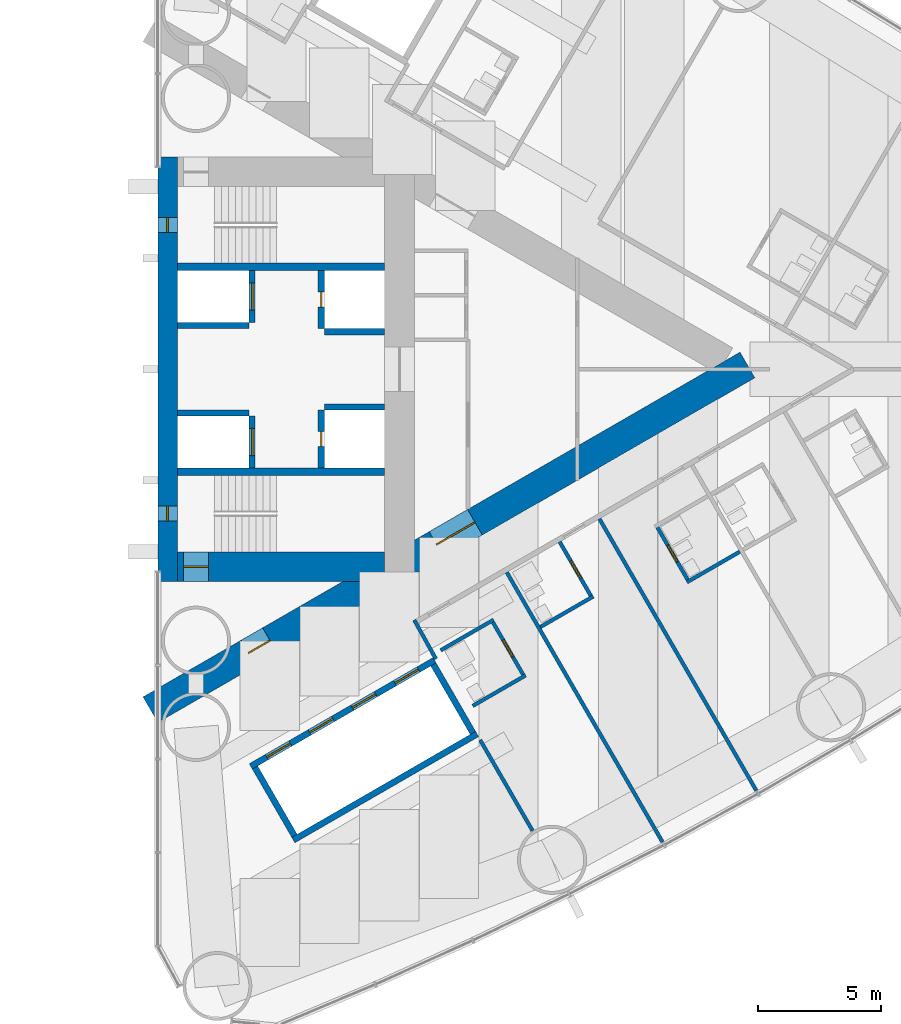
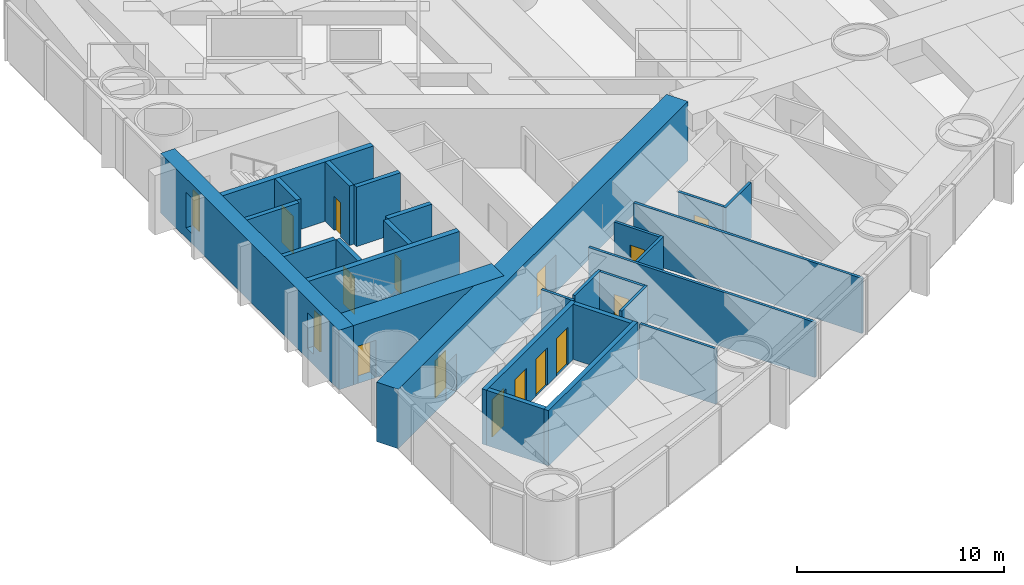
# One storey, part 13 of 18: 28 walls, 14 doors, 2 windows, 16 openings.
"""IFC4 building model written with IfcOpenShell, lengths in metres."""

from ifc_helpers import new_model, si_unit, direction, frame, frame_2d, origin, place, context, subcontext, project, spatial, rectangle, extrude, material, layer, layer_set, type_object, element, fill, save


model = new_model("IFC4")

# Units and contexts
model_context = context("Model", 3, precision=1e-05, world=origin(), true_north=direction((0.0, 1.0)))
body_context = subcontext(model_context, "Body", "Model", "MODEL_VIEW")
ifc_project = project(units=[si_unit("LENGTHUNIT", "METRE"), si_unit("AREAUNIT", "SQUARE_METRE"), si_unit("VOLUMEUNIT", "CUBIC_METRE"), si_unit("PLANEANGLEUNIT", "RADIAN"), si_unit("MASSUNIT", "GRAM", prefix="KILO")], contexts=[model_context])

# Site, building, storey
site_placement = place(None, origin())
site = spatial("IfcSite", under=ifc_project, at=site_placement, CompositionType="ELEMENT")
building_placement = place(site_placement, origin())
building = spatial("IfcBuilding", under=site, at=building_placement, Name="Lancet Gate Hotel", CompositionType="ELEMENT")
storey_placement = place(building_placement, frame((0.0, 0.0, 49.5)))
storey = spatial("IfcBuildingStorey", under=building, at=storey_placement, Name="L12", CompositionType="ELEMENT", Elevation=49.5)

# Wall
ifc_material_1 = material(Name="Moisture resistant board partition")
ifc_layer_1 = layer(ifc_material_1, 0.14990234375)
ifc_layer_set_1 = layer_set([ifc_layer_1], Name="Bathroom wall 150")
wall_type_1 = type_object("IfcWallType", Name="Bathroom wall 150", PredefinedType="PARTITIONING", material=ifc_layer_set_1)
wall_1_placement = place(storey_placement, frame((43.01220703125, -10.4443359375, 0.0), z_axis=(0.0, 0.0, 1.0), x_axis=(0.866031185235, 0.4999899861, 0.0)))
element("IfcWall", 1, at=wall_1_placement, inside=storey, type_object=wall_type_1, Name="T2 bathroom wall 150 L12", PredefinedType="PARTITIONING", context=body_context, shape_type="SweptSolid", body=[
    extrude(rectangle(XDim=2.47509765625, YDim=0.14990234375, at=frame_2d((1.237548828125, 0.0))), origin(), (0.0, 0.0, 1.0), 3.25),
])

# Wall, opening, door
wall_2_placement = place(storey_placement, frame((43.790771484375, -6.99267578125, 0.0), z_axis=(0.0, 0.0, 1.0), x_axis=(0.500047596559, -0.865997922154, 0.0)))
wall_2 = element("IfcWall", 2, at=wall_2_placement, inside=storey, type_object=wall_type_1, Name="T2 bathroom wall 150 L12", PredefinedType="PARTITIONING", context=body_context, shape_type="SweptSolid", body=[
    extrude(rectangle(XDim=2.599853515625, YDim=0.14990234375, at=frame_2d((1.2998046875, 0.0))), origin(), (0.0, 0.0, 1.0), 3.25),
])
opening_1_placement = place(wall_2_placement, frame((0.89990234375, 0.0, 0.0)))
opening_1 = element("IfcOpeningElement", 3, at=opening_1_placement, cuts=wall_2, Name="Opening 1254-B", PredefinedType="OPENING", context=body_context, shape_type="SweptSolid", body=[
    extrude(rectangle(XDim=0.800048828125, YDim=2.199951171875, at=frame_2d((0.39990234375, 1.10009765625))), frame((0.0, 0.0849609375, 0.0), z_axis=(0.0, -1.0, 0.0), x_axis=(1.0, 0.0, 0.0)), (0.0, 0.0, 1.0), 0.169921875),
])
ifc_material_2 = material(Name="Timber door set", Category="wood")
door_type_1 = type_object("IfcDoorType", Name="Bathroom door 800", OperationType="SINGLE_SWING_RIGHT", PredefinedType="DOOR", material=ifc_material_2)
door_1_placement = place(opening_1_placement, origin())
door_1 = element("IfcDoor", 4, at=door_1_placement, inside=storey, type_object=door_type_1, Name="1254-B", OperationType="SINGLE_SWING_RIGHT", OverallHeight=2.199951171875, OverallWidth=0.800048828125, PredefinedType="DOOR", context=body_context, shape_type="SweptSolid", body=[
    extrude(rectangle(XDim=0.800048828125, YDim=2.199951171875, at=frame_2d((0.39990234375, 1.10009765625))), frame((0.0, 0.02490234375, 0.0), z_axis=(0.0, -1.0, 0.0), x_axis=(1.0, 0.0, 0.0)), (0.0, 0.0, 1.0), 0.050048828125),
])
fill(opening_1, door_1)

# Wall
wall_3_placement = place(storey_placement, frame((48.951171875, -8.632080078125, 0.0), z_axis=(0.0, 0.0, 1.0), x_axis=(0.866006523861, 0.500032699561, 0.0)))
element("IfcWall", 5, at=wall_3_placement, inside=storey, type_object=wall_type_1, Name="T2 bathroom wall 150 L12", PredefinedType="PARTITIONING", context=body_context, shape_type="SweptSolid", body=[
    extrude(rectangle(XDim=2.474853515625, YDim=0.14990234375, at=frame_2d((1.2373046875, 0.0))), origin(), (0.0, 0.0, 1.0), 3.25),
])

# Wall, opening, door
wall_4_placement = place(storey_placement, frame((47.716064453125, -6.3427734375, 0.0), z_axis=(0.0, 0.0, 1.0), x_axis=(0.500006934395, -0.866021400173, 0.0)))
wall_4 = element("IfcWall", 6, at=wall_4_placement, inside=storey, type_object=wall_type_1, Name="T2 bathroom wall 150 L12", PredefinedType="PARTITIONING", context=body_context, shape_type="SweptSolid", body=[
    extrude(rectangle(XDim=2.60009765625, YDim=0.14990234375, at=frame_2d((1.300048828125, 0.0))), origin(), (0.0, 0.0, 1.0), 3.25),
])
opening_2_placement = place(wall_4_placement, frame((0.89990234375, 0.0, 0.0)))
opening_2 = element("IfcOpeningElement", 7, at=opening_2_placement, cuts=wall_4, Name="Opening 1255-B", PredefinedType="OPENING", context=body_context, shape_type="SweptSolid", body=[
    extrude(rectangle(XDim=0.800048828125, YDim=2.199951171875, at=frame_2d((0.39990234375, 1.10009765625))), frame((0.0, 0.0849609375, 0.0), z_axis=(0.0, -1.0, 0.0), x_axis=(1.0, 0.0, 0.0)), (0.0, 0.0, 1.0), 0.169921875),
])
door_2_placement = place(opening_2_placement, origin())
door_2 = element("IfcDoor", 8, at=door_2_placement, inside=storey, type_object=door_type_1, Name="1255-B", OperationType="SINGLE_SWING_RIGHT", OverallHeight=2.199951171875, OverallWidth=0.800048828125, PredefinedType="DOOR", context=body_context, shape_type="SweptSolid", body=[
    extrude(rectangle(XDim=0.800048828125, YDim=2.199951171875, at=frame_2d((0.39990234375, 1.10009765625))), frame((0.0, 0.02490234375, 0.0), z_axis=(0.0, -1.0, 0.0), x_axis=(1.0, 0.0, 0.0)), (0.0, 0.0, 1.0), 0.050048828125),
])
fill(opening_2, door_2)

# Wall
wall_5_placement = place(storey_placement, frame((40.269775390625, -13.644287109375, 0.0), z_axis=(0.0, 0.0, 1.0), x_axis=(0.866031185235, 0.4999899861, 0.0)))
element("IfcWall", 9, at=wall_5_placement, inside=storey, type_object=wall_type_1, Name="T2 bathroom wall 150 L12", PredefinedType="PARTITIONING", context=body_context, shape_type="SweptSolid", body=[
    extrude(rectangle(XDim=2.47509765625, YDim=0.14990234375, at=frame_2d((1.237548828125, 0.0))), origin(), (0.0, 0.0, 1.0), 3.25),
])

# Wall, opening, door
wall_6_placement = place(storey_placement, frame((41.04833984375, -10.192626953125, 0.0), z_axis=(0.0, 0.0, 1.0), x_axis=(0.500047596559, -0.865997922154, 0.0)))
wall_6 = element("IfcWall", 10, at=wall_6_placement, inside=storey, type_object=wall_type_1, Name="T2 bathroom wall 150 L12", PredefinedType="PARTITIONING", context=body_context, shape_type="SweptSolid", body=[
    extrude(rectangle(XDim=2.599853515625, YDim=0.14990234375, at=frame_2d((1.2998046875, 0.0))), origin(), (0.0, 0.0, 1.0), 3.25),
])
opening_3_placement = place(wall_6_placement, frame((0.89990234375, 0.0, 0.0)))
opening_3 = element("IfcOpeningElement", 11, at=opening_3_placement, cuts=wall_6, Name="Opening 1253-B", PredefinedType="OPENING", context=body_context, shape_type="SweptSolid", body=[
    extrude(rectangle(XDim=0.800048828125, YDim=2.199951171875, at=frame_2d((0.39990234375, 1.10009765625))), frame((0.0, 0.0849609375, 0.0), z_axis=(0.0, -1.0, 0.0), x_axis=(1.0, 0.0, 0.0)), (0.0, 0.0, 1.0), 0.169921875),
])
door_3_placement = place(opening_3_placement, origin())
door_3 = element("IfcDoor", 12, at=door_3_placement, inside=storey, type_object=door_type_1, Name="1253-B", OperationType="SINGLE_SWING_RIGHT", OverallHeight=2.199951171875, OverallWidth=0.800048828125, PredefinedType="DOOR", context=body_context, shape_type="SweptSolid", body=[
    extrude(rectangle(XDim=0.800048828125, YDim=2.199951171875, at=frame_2d((0.39990234375, 1.10009765625))), frame((0.0, 0.02490234375, 0.0), z_axis=(0.0, -1.0, 0.0), x_axis=(1.0, 0.0, 0.0)), (0.0, 0.0, 1.0), 0.050048828125),
])
fill(opening_3, door_3)

# Wall
wall_7_placement = place(storey_placement, frame((38.9697265625, -11.392578125, 0.0), z_axis=(0.0, 0.0, 1.0), x_axis=(0.866031185235, 0.4999899861, 0.0)))
element("IfcWall", 13, at=wall_7_placement, inside=storey, type_object=wall_type_1, Name="T2 bathroom wall 150 L12", PredefinedType="PARTITIONING", context=body_context, shape_type="SweptSolid", body=[
    extrude(rectangle(XDim=2.47509765625, YDim=0.14990234375, at=frame_2d((1.237548828125, 0.0))), origin(), (0.0, 0.0, 1.0), 3.25),
])

# Wall, openings, doors
ifc_material_3 = material(Name="Concrete C70/85", Category="concrete")
ifc_layer_2 = layer(ifc_material_3, 1.199951171875)
ifc_layer_set_2 = layer_set([ifc_layer_2], Name="Buttress wall 1200")
wall_type_2 = type_object("IfcWallType", Name="Buttress wall 1200", PredefinedType="SHEAR", material=ifc_layer_set_2)
wall_8_placement = place(storey_placement, frame((27.199951171875, -13.800048828125, 0.0), z_axis=(0.0, 0.0, 1.0), x_axis=(0.866027159892, 0.499996958321, 0.0)))
wall_8 = element("IfcWall", 14, at=wall_8_placement, inside=storey, type_object=wall_type_2, Name="T2 buttress wall S L12", PredefinedType="SHEAR", context=body_context, shape_type="SweptSolid", body=[
    extrude(rectangle(XDim=27.946533203125, YDim=1.199951171875, at=frame_2d((13.97314453125, 0.0))), origin(), (0.0, 0.0, 1.0), 3.5),
])
opening_4_placement = place(wall_8_placement, frame((4.60009765625, 0.0, 0.0)))
opening_4 = element("IfcOpeningElement", 15, at=opening_4_placement, cuts=wall_8, Name="Opening T2-L12-LS", PredefinedType="OPENING", context=body_context, shape_type="SweptSolid", body=[
    extrude(rectangle(XDim=1.0, YDim=2.199951171875, at=frame_2d((0.5, 1.10009765625))), frame((0.0, 0.60986328125, 0.0), z_axis=(0.0, -1.0, 0.0), x_axis=(1.0, 0.0, 0.0)), (0.0, 0.0, 1.0), 1.219970703125),
])
opening_5_placement = place(wall_8_placement, frame((13.39453125, 0.0, 0.0)))
opening_5 = element("IfcOpeningElement", 16, at=opening_5_placement, cuts=wall_8, Name="Opening T2-L12-LHS", PredefinedType="OPENING", context=body_context, shape_type="SweptSolid", body=[
    extrude(rectangle(XDim=1.800048828125, YDim=2.199951171875, at=frame_2d((0.89990234375, 1.10009765625))), frame((0.0, 0.60986328125, 0.0), z_axis=(0.0, -1.0, 0.0), x_axis=(1.0, 0.0, 0.0)), (0.0, 0.0, 1.0), 1.219970703125),
])
ifc_material_4 = material(Name="Timber door set", Category="wood")
door_type_2 = type_object("IfcDoorType", Name="Lobby double door 1800", OperationType="DOUBLE_DOOR_SINGLE_SWING", PredefinedType="DOOR", material=ifc_material_4)
door_4_placement = place(opening_5_placement, origin())
door_4 = element("IfcDoor", 17, at=door_4_placement, inside=storey, type_object=door_type_2, Name="T2-L12-LHS", OperationType="DOUBLE_DOOR_SINGLE_SWING", OverallHeight=2.199951171875, OverallWidth=1.800048828125, PredefinedType="DOOR", context=body_context, shape_type="SweptSolid", body=[
    extrude(rectangle(XDim=1.800048828125, YDim=2.199951171875, at=frame_2d((0.89990234375, 1.10009765625))), frame((0.0, 0.02490234375, 0.0), z_axis=(0.0, -1.0, 0.0), x_axis=(1.0, 0.0, 0.0)), (0.0, 0.0, 1.0), 0.050048828125),
])
fill(opening_5, door_4)
ifc_material_5 = material(Name="Timber door set", Category="wood")
door_type_3 = type_object("IfcDoorType", Name="Stair lobby door 1000", OperationType="SINGLE_SWING_LEFT", PredefinedType="DOOR", material=ifc_material_5)
door_5_placement = place(opening_4_placement, origin())
door_5 = element("IfcDoor", 18, at=door_5_placement, inside=storey, type_object=door_type_3, Name="T2-L12-LS", OperationType="SINGLE_SWING_LEFT", OverallHeight=2.199951171875, OverallWidth=1.0, PredefinedType="DOOR", context=body_context, shape_type="SweptSolid", body=[
    extrude(rectangle(XDim=1.0, YDim=2.199951171875, at=frame_2d((0.5, 1.10009765625))), frame((0.0, 0.02490234375, 0.0), z_axis=(0.0, -1.0, 0.0), x_axis=(1.0, 0.0, 0.0)), (0.0, 0.0, 1.0), 0.050048828125),
])
fill(opening_4, door_5)

# Wall, opening, door
ifc_material_6 = material(Name="Concrete C70/85", Category="concrete")
ifc_layer_3 = layer(ifc_material_6, 1.199951171875)
ifc_layer_set_3 = layer_set([ifc_layer_3], Name="Core wall 1200")
wall_type_3 = type_object("IfcWallType", Name="Core wall 1200", PredefinedType="SHEAR", material=ifc_layer_set_3)
wall_9_placement = place(storey_placement, frame((28.300048828125, -8.0, 0.0), z_axis=(0.0, 0.0, 1.0), x_axis=(1.0, 0.0, 0.0)))
wall_9 = element("IfcWall", 19, at=wall_9_placement, inside=storey, type_object=wall_type_3, Name="T2 core wall side-S L12", PredefinedType="SHEAR", context=body_context, shape_type="SweptSolid", body=[
    extrude(rectangle(XDim=8.39990234375, YDim=1.199951171875, at=frame_2d((4.199951171875, 0.0))), origin(), (0.0, 0.0, 1.0), 3.5),
])
opening_6_placement = place(wall_9_placement, frame((0.25, 0.0, 0.0)))
opening_6 = element("IfcOpeningElement", 20, at=opening_6_placement, cuts=wall_9, Name="Opening T2-L12-ST1", PredefinedType="OPENING", context=body_context, shape_type="SweptSolid", body=[
    extrude(rectangle(XDim=1.0, YDim=2.199951171875, at=frame_2d((0.5, 1.10009765625))), frame((0.0, 0.60986328125, 0.0), z_axis=(0.0, -1.0, 0.0), x_axis=(1.0, 0.0, 0.0)), (0.0, 0.0, 1.0), 1.219970703125),
])
ifc_material_7 = material(Name="Timber door set", Category="wood")
door_type_4 = type_object("IfcDoorType", Name="Stair door 1000", OperationType="SINGLE_SWING_RIGHT", PredefinedType="DOOR", material=ifc_material_7)
door_6_placement = place(opening_6_placement, origin())
door_6 = element("IfcDoor", 21, at=door_6_placement, inside=storey, type_object=door_type_4, Name="T2-L12-ST1", OperationType="SINGLE_SWING_RIGHT", OverallHeight=2.199951171875, OverallWidth=1.0, PredefinedType="DOOR", context=body_context, shape_type="SweptSolid", body=[
    extrude(rectangle(XDim=1.0, YDim=2.199951171875, at=frame_2d((0.5, 1.10009765625))), frame((0.0, 0.02490234375, 0.0), z_axis=(0.0, -1.0, 0.0), x_axis=(1.0, 0.0, 0.0)), (0.0, 0.0, 1.0), 0.050048828125),
])
fill(opening_6, door_6)

# Wall, openings, windows
ifc_material_8 = material(Name="Concrete C70/85", Category="concrete")
ifc_layer_4 = layer(ifc_material_8, 0.800048828125)
ifc_layer_set_4 = layer_set([ifc_layer_4], Name="Core wall 800")
wall_type_4 = type_object("IfcWallType", Name="Core wall 800", PredefinedType="SHEAR", material=ifc_layer_set_4)
wall_10_placement = place(storey_placement, frame((27.89990234375, -8.60009765625, 0.0), z_axis=(0.0, 0.0, 1.0), x_axis=(0.0, 1.0, 0.0)))
wall_10 = element("IfcWall", 22, at=wall_10_placement, inside=storey, type_object=wall_type_4, Name="T2 core wall front L12", PredefinedType="SHEAR", context=body_context, shape_type="SweptSolid", body=[
    extrude(rectangle(XDim=17.2001953125, YDim=0.800048828125, at=frame_2d((8.60009765625, 0.0))), origin(), (0.0, 0.0, 1.0), 3.5),
])
opening_7_placement = place(wall_10_placement, frame((2.449951171875, 0.0, 0.60009765625)))
opening_7 = element("IfcOpeningElement", 23, at=opening_7_placement, cuts=wall_10, Name="Opening LW1", PredefinedType="OPENING", context=body_context, shape_type="SweptSolid", body=[
    extrude(rectangle(XDim=0.60009765625, YDim=2.10009765625, at=frame_2d((0.300048828125, 1.050048828125))), frame((0.0, 0.409912109375, 0.0), z_axis=(0.0, -1.0, 0.0), x_axis=(1.0, 0.0, 0.0)), (0.0, 0.0, 1.0), 0.820068359375),
])
opening_8_placement = place(wall_10_placement, frame((14.14990234375, 0.0, 0.60009765625)))
opening_8 = element("IfcOpeningElement", 24, at=opening_8_placement, cuts=wall_10, Name="Opening LW1", PredefinedType="OPENING", context=body_context, shape_type="SweptSolid", body=[
    extrude(rectangle(XDim=0.60009765625, YDim=2.10009765625, at=frame_2d((0.300048828125, 1.050048828125))), frame((0.0, 0.409912109375, 0.0), z_axis=(0.0, -1.0, 0.0), x_axis=(1.0, 0.0, 0.0)), (0.0, 0.0, 1.0), 0.820068359375),
])
ifc_material_9 = material(Name="Fire-resisting glazed steel window", Category="steel")
window_type = type_object("IfcWindowType", Name="Lancet window 600x2100", PartitioningType="SINGLE_PANEL", PredefinedType="WINDOW", material=ifc_material_9)
window_1_placement = place(opening_7_placement, origin())
window_1 = element("IfcWindow", 25, at=window_1_placement, inside=storey, type_object=window_type, Name="T2 stair window S L12", OverallHeight=2.10009765625, OverallWidth=0.60009765625, PartitioningType="SINGLE_PANEL", PredefinedType="WINDOW", context=body_context, shape_type="SweptSolid", body=[
    extrude(rectangle(XDim=0.60009765625, YDim=2.10009765625, at=frame_2d((0.300048828125, 1.050048828125))), frame((0.0, 0.030029296875, 0.0), z_axis=(0.0, -1.0, 0.0), x_axis=(1.0, 0.0, 0.0)), (0.0, 0.0, 1.0), 0.06005859375),
])
fill(opening_7, window_1)
window_2_placement = place(opening_8_placement, origin())
window_2 = element("IfcWindow", 26, at=window_2_placement, inside=storey, type_object=window_type, Name="T2 stair window N L12", OverallHeight=2.10009765625, OverallWidth=0.60009765625, PartitioningType="SINGLE_PANEL", PredefinedType="WINDOW", context=body_context, shape_type="SweptSolid", body=[
    extrude(rectangle(XDim=0.60009765625, YDim=2.10009765625, at=frame_2d((0.300048828125, 1.050048828125))), frame((0.0, 0.030029296875, 0.0), z_axis=(0.0, -1.0, 0.0), x_axis=(1.0, 0.0, 0.0)), (0.0, 0.0, 1.0), 0.06005859375),
])
fill(opening_8, window_2)

# Wall, openings, doors
ifc_material_10 = material(Name="Gypsum board partition")
ifc_layer_5 = layer(ifc_material_10, 0.25)
ifc_layer_set_5 = layer_set([ifc_layer_5], Name="Lift shaft partition 250")
wall_type_5 = type_object("IfcWallType", Name="Lift shaft partition 250", PredefinedType="PARTITIONING", material=ifc_layer_set_5)
wall_11_placement = place(storey_placement, frame((31.2705078125, -16.09716796875, 0.0), z_axis=(0.0, 0.0, 1.0), x_axis=(0.86604045752, 0.499973925258, 0.0)))
wall_11 = element("IfcWall", 27, at=wall_11_placement, inside=storey, type_object=wall_type_5, Name="T2 lift shaft wall LR L12", PredefinedType="PARTITIONING", context=body_context, shape_type="SweptSolid", body=[
    extrude(rectangle(XDim=8.60009765625, YDim=0.25, at=frame_2d((4.300048828125, 0.0))), origin(), (0.0, 0.0, 1.0), 3.25),
])
opening_9_placement = place(wall_11_placement, frame((0.75, 0.0, 0.0)))
opening_9 = element("IfcOpeningElement", 28, at=opening_9_placement, cuts=wall_11, Name="Opening T2-LR1-L12", PredefinedType="OPENING", context=body_context, shape_type="SweptSolid", body=[
    extrude(rectangle(XDim=1.10009765625, YDim=2.199951171875, at=frame_2d((0.550048828125, 1.10009765625))), frame((0.0, 0.135009765625, 0.0), z_axis=(0.0, -1.0, 0.0), x_axis=(1.0, 0.0, 0.0)), (0.0, 0.0, 1.0), 0.27001953125),
])
opening_10_placement = place(wall_11_placement, frame((2.75, 0.0, 0.0)))
opening_10 = element("IfcOpeningElement", 29, at=opening_10_placement, cuts=wall_11, Name="Opening T2-LR2-L12", PredefinedType="OPENING", context=body_context, shape_type="SweptSolid", body=[
    extrude(rectangle(XDim=1.10009765625, YDim=2.199951171875, at=frame_2d((0.550048828125, 1.10009765625))), frame((0.0, 0.135009765625, 0.0), z_axis=(0.0, -1.0, 0.0), x_axis=(1.0, 0.0, 0.0)), (0.0, 0.0, 1.0), 0.27001953125),
])
opening_11_placement = place(wall_11_placement, frame((4.75, 0.0, 0.0)))
opening_11 = element("IfcOpeningElement", 30, at=opening_11_placement, cuts=wall_11, Name="Opening T2-LR3-L12", PredefinedType="OPENING", context=body_context, shape_type="SweptSolid", body=[
    extrude(rectangle(XDim=1.10009765625, YDim=2.199951171875, at=frame_2d((0.550048828125, 1.10009765625))), frame((0.0, 0.135009765625, 0.0), z_axis=(0.0, -1.0, 0.0), x_axis=(1.0, 0.0, 0.0)), (0.0, 0.0, 1.0), 0.27001953125),
])
opening_12_placement = place(wall_11_placement, frame((6.75, 0.0, 0.0)))
opening_12 = element("IfcOpeningElement", 31, at=opening_12_placement, cuts=wall_11, Name="Opening T2-LR4-L12", PredefinedType="OPENING", context=body_context, shape_type="SweptSolid", body=[
    extrude(rectangle(XDim=1.10009765625, YDim=2.199951171875, at=frame_2d((0.550048828125, 1.10009765625))), frame((0.0, 0.135009765625, 0.0), z_axis=(0.0, -1.0, 0.0), x_axis=(1.0, 0.0, 0.0)), (0.0, 0.0, 1.0), 0.27001953125),
])
ifc_material_11 = material(Name="Steel door set", Category="steel")
door_type_5 = type_object("IfcDoorType", Name="Lift landing door 1100", OperationType="DOUBLE_DOOR_SLIDING", PredefinedType="USERDEFINED", material=ifc_material_11)
door_7_placement = place(opening_9_placement, origin())
door_7 = element("IfcDoor", 32, at=door_7_placement, inside=storey, type_object=door_type_5, Name="T2-LR1-L12", ObjectType="LIFT LANDING DOOR", OperationType="DOUBLE_DOOR_SLIDING", OverallHeight=2.199951171875, OverallWidth=1.10009765625, PredefinedType="USERDEFINED", context=body_context, shape_type="SweptSolid", body=[
    extrude(rectangle(XDim=1.10009765625, YDim=2.199951171875, at=frame_2d((0.550048828125, 1.10009765625))), frame((0.0, 0.02490234375, 0.0), z_axis=(0.0, -1.0, 0.0), x_axis=(1.0, 0.0, 0.0)), (0.0, 0.0, 1.0), 0.050048828125),
])
fill(opening_9, door_7)
door_8_placement = place(opening_10_placement, origin())
door_8 = element("IfcDoor", 33, at=door_8_placement, inside=storey, type_object=door_type_5, Name="T2-LR2-L12", ObjectType="LIFT LANDING DOOR", OperationType="DOUBLE_DOOR_SLIDING", OverallHeight=2.199951171875, OverallWidth=1.10009765625, PredefinedType="USERDEFINED", context=body_context, shape_type="SweptSolid", body=[
    extrude(rectangle(XDim=1.10009765625, YDim=2.199951171875, at=frame_2d((0.550048828125, 1.10009765625))), frame((0.0, 0.02490234375, 0.0), z_axis=(0.0, -1.0, 0.0), x_axis=(1.0, 0.0, 0.0)), (0.0, 0.0, 1.0), 0.050048828125),
])
fill(opening_10, door_8)
door_9_placement = place(opening_11_placement, origin())
door_9 = element("IfcDoor", 34, at=door_9_placement, inside=storey, type_object=door_type_5, Name="T2-LR3-L12", ObjectType="LIFT LANDING DOOR", OperationType="DOUBLE_DOOR_SLIDING", OverallHeight=2.199951171875, OverallWidth=1.10009765625, PredefinedType="USERDEFINED", context=body_context, shape_type="SweptSolid", body=[
    extrude(rectangle(XDim=1.10009765625, YDim=2.199951171875, at=frame_2d((0.550048828125, 1.10009765625))), frame((0.0, 0.02490234375, 0.0), z_axis=(0.0, -1.0, 0.0), x_axis=(1.0, 0.0, 0.0)), (0.0, 0.0, 1.0), 0.050048828125),
])
fill(opening_11, door_9)
door_10_placement = place(opening_12_placement, origin())
door_10 = element("IfcDoor", 35, at=door_10_placement, inside=storey, type_object=door_type_5, Name="T2-LR4-L12", ObjectType="LIFT LANDING DOOR", OperationType="DOUBLE_DOOR_SLIDING", OverallHeight=2.199951171875, OverallWidth=1.10009765625, PredefinedType="USERDEFINED", context=body_context, shape_type="SweptSolid", body=[
    extrude(rectangle(XDim=1.10009765625, YDim=2.199951171875, at=frame_2d((0.550048828125, 1.10009765625))), frame((0.0, 0.02490234375, 0.0), z_axis=(0.0, -1.0, 0.0), x_axis=(1.0, 0.0, 0.0)), (0.0, 0.0, 1.0), 0.050048828125),
])
fill(opening_12, door_10)

# Walls
wall_12_placement = place(storey_placement, frame((32.99560546875, -19.085693359375, 0.0), z_axis=(0.0, 0.0, 1.0), x_axis=(0.866028165386, 0.499995216735, 0.0)))
element("IfcWall", 36, at=wall_12_placement, inside=storey, type_object=wall_type_5, Name="T2 lift shaft wall LR L12", PredefinedType="PARTITIONING", context=body_context, shape_type="SweptSolid", body=[
    extrude(rectangle(XDim=8.60009765625, YDim=0.25, at=frame_2d((4.300048828125, 0.0))), origin(), (0.0, 0.0, 1.0), 3.25),
])
for number, where, z_axis, x_axis, name in (
    (37, (31.441162109375, -16.14306640625, 0.0), (0.0, 0.0, 1.0), (0.499929347863, -0.866066190972, 0.0), "T2 lift shaft wall LR L12"),
    (38, (38.672607421875, -11.968017578125, 0.0), (0.0, 0.0, 1.0), (0.499929347863, -0.866066190972, 0.0), "T2 lift shaft wall LR L12"),
):
    element("IfcWall", number, at=place(storey_placement, frame(where, z_axis=z_axis, x_axis=x_axis)), inside=storey, type_object=wall_type_5, Name=name, PredefinedType="PARTITIONING", context=body_context, shape_type="SweptSolid", body=[
        extrude(rectangle(XDim=3.20068359375, YDim=0.25, at=frame_2d((1.600341796875, 0.0))), origin(), (0.0, 0.0, 1.0), 3.25),
    ])

# Wall, opening, door
ifc_material_12 = material(Name="Concrete C50/60", Category="concrete")
ifc_layer_6 = layer(ifc_material_12, 0.25)
ifc_layer_set_6 = layer_set([ifc_layer_6], Name="Lift shaft wall 250")
wall_type_6 = type_object("IfcWallType", Name="Lift shaft wall 250", PredefinedType="SHEAR", material=ifc_layer_set_6)
wall_13_placement = place(storey_placement, frame((31.324951171875, -4.0, 0.0), z_axis=(0.0, 0.0, 1.0), x_axis=(0.0, 1.0, 0.0)))
wall_13 = element("IfcWall", 39, at=wall_13_placement, inside=storey, type_object=wall_type_6, Name="T2 core wall row1-S L12", PredefinedType="SHEAR", context=body_context, shape_type="SweptSolid", body=[
    extrude(rectangle(XDim=2.10009765625, YDim=0.25, at=frame_2d((1.050048828125, 0.0))), origin(), (0.0, 0.0, 1.0), 3.5),
])
opening_13_placement = place(wall_13_placement, frame((0.5, 0.0, 0.0)))
opening_13 = element("IfcOpeningElement", 40, at=opening_13_placement, cuts=wall_13, Name="Opening T2-SL1-L12", PredefinedType="OPENING", context=body_context, shape_type="SweptSolid", body=[
    extrude(rectangle(XDim=1.10009765625, YDim=2.199951171875, at=frame_2d((0.550048828125, 1.10009765625))), frame((0.0, 0.135009765625, 0.0), z_axis=(0.0, -1.0, 0.0), x_axis=(1.0, 0.0, 0.0)), (0.0, 0.0, 1.0), 0.27001953125),
])
ifc_material_13 = material(Name="Timber door set", Category="wood")
door_type_6 = type_object("IfcDoorType", Name="Service lift landing door 1100", OperationType="SLIDING_TO_LEFT", PredefinedType="USERDEFINED", material=ifc_material_13)
door_11_placement = place(opening_13_placement, origin())
door_11 = element("IfcDoor", 41, at=door_11_placement, inside=storey, type_object=door_type_6, Name="T2-SL1-L12", ObjectType="LIFT LANDING DOOR", OperationType="SLIDING_TO_LEFT", OverallHeight=2.199951171875, OverallWidth=1.10009765625, PredefinedType="USERDEFINED", context=body_context, shape_type="SweptSolid", body=[
    extrude(rectangle(XDim=1.10009765625, YDim=2.199951171875, at=frame_2d((0.550048828125, 1.10009765625))), frame((0.0, 0.02490234375, 0.0), z_axis=(0.0, -1.0, 0.0), x_axis=(1.0, 0.0, 0.0)), (0.0, 0.0, 1.0), 0.050048828125),
])
fill(opening_13, door_11)

wall_14_placement = place(storey_placement, frame((34.125, -4.0, 0.0), z_axis=(0.0, 0.0, 1.0), x_axis=(0.0, 1.0, 0.0)))
wall_14 = element("IfcWall", 42, at=wall_14_placement, inside=storey, type_object=wall_type_6, Name="T2 core wall row2-S L12", PredefinedType="SHEAR", context=body_context, shape_type="SweptSolid", body=[
    extrude(rectangle(XDim=2.35009765625, YDim=0.25, at=frame_2d((1.175048828125, 0.0))), origin(), (0.0, 0.0, 1.0), 3.5),
])
opening_14_placement = place(wall_14_placement, frame((0.875, 0.0, 0.0)))
opening_14 = element("IfcOpeningElement", 43, at=opening_14_placement, cuts=wall_14, Name="Opening T2-OL3-L12-E", PredefinedType="OPENING", context=body_context, shape_type="SweptSolid", body=[
    extrude(rectangle(XDim=0.60009765625, YDim=2.0, at=frame_2d((0.300048828125, 1.0))), frame((0.0, 0.135009765625, 0.0), z_axis=(0.0, -1.0, 0.0), x_axis=(1.0, 0.0, 0.0)), (0.0, 0.0, 1.0), 0.27001953125),
])
ifc_material_14 = material(Name="Steel door set", Category="steel")
door_type_7 = type_object("IfcDoorType", Name="Lift shaft emergency door 600x2000", OperationType="SLIDING_TO_LEFT", PredefinedType="DOOR", material=ifc_material_14)
door_12_placement = place(opening_14_placement, origin())
door_12 = element("IfcDoor", 44, at=door_12_placement, inside=storey, type_object=door_type_7, Name="T2-OL3-L12-E", OperationType="SLIDING_TO_LEFT", OverallHeight=2.0, OverallWidth=0.60009765625, PredefinedType="DOOR", context=body_context, shape_type="SweptSolid", body=[
    extrude(rectangle(XDim=0.60009765625, YDim=2.0, at=frame_2d((0.300048828125, 1.0))), frame((0.0, 0.02490234375, 0.0), z_axis=(0.0, -1.0, 0.0), x_axis=(1.0, 0.0, 0.0)), (0.0, 0.0, 1.0), 0.050048828125),
])
fill(opening_14, door_12)

# Walls
wall_15_placement = place(storey_placement, frame((28.300048828125, -1.77490234375, 0.0), z_axis=(0.0, 0.0, 1.0), x_axis=(1.0, 0.0, 0.0)))
element("IfcWall", 45, at=wall_15_placement, inside=storey, type_object=wall_type_6, Name="T2 core wall pass1-S L12", PredefinedType="SHEAR", context=body_context, shape_type="SweptSolid", body=[
    extrude(rectangle(XDim=2.89990234375, YDim=0.25, at=frame_2d((1.449951171875, 0.0))), origin(), (0.0, 0.0, 1.0), 3.5),
])
wall_16_placement = place(storey_placement, frame((34.25, -1.52490234375, 0.0), z_axis=(0.0, 0.0, 1.0), x_axis=(1.0, 0.0, 0.0)))
element("IfcWall", 46, at=wall_16_placement, inside=storey, type_object=wall_type_6, Name="T2 core wall pass2-S L12", PredefinedType="SHEAR", context=body_context, shape_type="SweptSolid", body=[
    extrude(rectangle(XDim=2.449951171875, YDim=0.25, at=frame_2d((1.22509765625, 0.0))), origin(), (0.0, 0.0, 1.0), 3.5),
])

# Wall, opening, door
wall_17_placement = place(storey_placement, frame((31.324951171875, 1.89990234375, 0.0), z_axis=(0.0, 0.0, 1.0), x_axis=(0.0, 1.0, 0.0)))
wall_17 = element("IfcWall", 47, at=wall_17_placement, inside=storey, type_object=wall_type_6, Name="T2 core wall row1-N L12", PredefinedType="SHEAR", context=body_context, shape_type="SweptSolid", body=[
    extrude(rectangle(XDim=2.10009765625, YDim=0.25, at=frame_2d((1.050048828125, 0.0))), origin(), (0.0, 0.0, 1.0), 3.5),
])
opening_15_placement = place(wall_17_placement, frame((0.5, 0.0, 0.0)))
opening_15 = element("IfcOpeningElement", 48, at=opening_15_placement, cuts=wall_17, Name="Opening T2-FL2-L12", PredefinedType="OPENING", context=body_context, shape_type="SweptSolid", body=[
    extrude(rectangle(XDim=1.10009765625, YDim=2.199951171875, at=frame_2d((0.550048828125, 1.10009765625))), frame((0.0, 0.135009765625, 0.0), z_axis=(0.0, -1.0, 0.0), x_axis=(1.0, 0.0, 0.0)), (0.0, 0.0, 1.0), 0.27001953125),
])
ifc_material_15 = material(Name="Steel door set", Category="steel")
door_type_8 = type_object("IfcDoorType", Name="Firefighting lift landing door 1100", OperationType="SLIDING_TO_LEFT", PredefinedType="USERDEFINED", material=ifc_material_15)
door_13_placement = place(opening_15_placement, origin())
door_13 = element("IfcDoor", 49, at=door_13_placement, inside=storey, type_object=door_type_8, Name="T2-FL2-L12", ObjectType="LIFT LANDING DOOR", OperationType="SLIDING_TO_LEFT", OverallHeight=2.199951171875, OverallWidth=1.10009765625, PredefinedType="USERDEFINED", context=body_context, shape_type="SweptSolid", body=[
    extrude(rectangle(XDim=1.10009765625, YDim=2.199951171875, at=frame_2d((0.550048828125, 1.10009765625))), frame((0.0, 0.02490234375, 0.0), z_axis=(0.0, -1.0, 0.0), x_axis=(1.0, 0.0, 0.0)), (0.0, 0.0, 1.0), 0.050048828125),
])
fill(opening_15, door_13)

wall_18_placement = place(storey_placement, frame((34.125, 1.64990234375, 0.0), z_axis=(0.0, 0.0, 1.0), x_axis=(0.0, 1.0, 0.0)))
wall_18 = element("IfcWall", 50, at=wall_18_placement, inside=storey, type_object=wall_type_6, Name="T2 core wall row2-N L12", PredefinedType="SHEAR", context=body_context, shape_type="SweptSolid", body=[
    extrude(rectangle(XDim=2.35009765625, YDim=0.25, at=frame_2d((1.175048828125, 0.0))), origin(), (0.0, 0.0, 1.0), 3.5),
])
opening_16_placement = place(wall_18_placement, frame((0.875, 0.0, 0.0)))
opening_16 = element("IfcOpeningElement", 51, at=opening_16_placement, cuts=wall_18, Name="Opening T2-OL4-L12-E", PredefinedType="OPENING", context=body_context, shape_type="SweptSolid", body=[
    extrude(rectangle(XDim=0.60009765625, YDim=2.0, at=frame_2d((0.300048828125, 1.0))), frame((0.0, 0.135009765625, 0.0), z_axis=(0.0, -1.0, 0.0), x_axis=(1.0, 0.0, 0.0)), (0.0, 0.0, 1.0), 0.27001953125),
])
door_14_placement = place(opening_16_placement, origin())
door_14 = element("IfcDoor", 52, at=door_14_placement, inside=storey, type_object=door_type_7, Name="T2-OL4-L12-E", OperationType="SLIDING_TO_LEFT", OverallHeight=2.0, OverallWidth=0.60009765625, PredefinedType="DOOR", context=body_context, shape_type="SweptSolid", body=[
    extrude(rectangle(XDim=0.60009765625, YDim=2.0, at=frame_2d((0.300048828125, 1.0))), frame((0.0, 0.02490234375, 0.0), z_axis=(0.0, -1.0, 0.0), x_axis=(1.0, 0.0, 0.0)), (0.0, 0.0, 1.0), 0.050048828125),
])
fill(opening_16, door_14)

# Walls
wall_19_placement = place(storey_placement, frame((28.300048828125, 1.77490234375, 0.0), z_axis=(0.0, 0.0, 1.0), x_axis=(1.0, 0.0, 0.0)))
element("IfcWall", 53, at=wall_19_placement, inside=storey, type_object=wall_type_6, Name="T2 core wall pass1-N L12", PredefinedType="SHEAR", context=body_context, shape_type="SweptSolid", body=[
    extrude(rectangle(XDim=2.89990234375, YDim=0.25, at=frame_2d((1.449951171875, 0.0))), origin(), (0.0, 0.0, 1.0), 3.5),
])
wall_20_placement = place(storey_placement, frame((34.25, 1.52490234375, 0.0), z_axis=(0.0, 0.0, 1.0), x_axis=(1.0, 0.0, 0.0)))
element("IfcWall", 54, at=wall_20_placement, inside=storey, type_object=wall_type_6, Name="T2 core wall pass2-N L12", PredefinedType="SHEAR", context=body_context, shape_type="SweptSolid", body=[
    extrude(rectangle(XDim=2.449951171875, YDim=0.25, at=frame_2d((1.22509765625, 0.0))), origin(), (0.0, 0.0, 1.0), 3.5),
])
ifc_material_16 = material(Name="Gypsum board partition")
ifc_layer_7 = layer(ifc_material_16, 0.14990234375)
ifc_layer_set_7 = layer_set([ifc_layer_7], Name="Party wall 150")
wall_type_7 = type_object("IfcWallType", Name="Party wall 150", PredefinedType="PARTITIONING", material=ifc_layer_set_7)
wall_21_placement = place(storey_placement, frame((41.6474609375, -8.22998046875, 0.0), z_axis=(0.0, 0.0, 1.0), x_axis=(0.49998590462, -0.866033541603, 0.0)))
element("IfcWall", 55, at=wall_21_placement, inside=storey, type_object=wall_type_7, Name="T2 party wall 150 L12", PredefinedType="PARTITIONING", context=body_context, shape_type="SweptSolid", body=[
    extrude(rectangle(XDim=12.620849609375, YDim=0.14990234375, at=frame_2d((6.310546875, 0.0))), origin(), (0.0, 0.0, 1.0), 3.25),
])
wall_22_placement = place(storey_placement, frame((45.40283203125, -6.061767578125, 0.0), z_axis=(0.0, 0.0, 1.0), x_axis=(0.500007077968, -0.866021317279, 0.0)))
element("IfcWall", 56, at=wall_22_placement, inside=storey, type_object=wall_type_7, Name="T2 party wall 150 L12", PredefinedType="PARTITIONING", context=body_context, shape_type="SweptSolid", body=[
    extrude(rectangle(XDim=12.721435546875, YDim=0.14990234375, at=frame_2d((6.36083984375, 0.0))), origin(), (0.0, 0.0, 1.0), 3.25),
])
wall_23_placement = place(storey_placement, frame((40.5703125, -15.030029296875, 0.0), z_axis=(0.0, 0.0, 1.0), x_axis=(0.500012993597, -0.866017901798, 0.0)))
element("IfcWall", 57, at=wall_23_placement, inside=storey, type_object=wall_type_7, Name="T2 party wall 150 L12", PredefinedType="PARTITIONING", context=body_context, shape_type="SweptSolid", body=[
    extrude(rectangle(XDim=4.2431640625, YDim=0.14990234375, at=frame_2d((2.12158203125, 0.0))), origin(), (0.0, 0.0, 1.0), 3.25),
])
ifc_material_17 = material(Name="Gypsum board partition")
ifc_layer_8 = layer(ifc_material_17, 0.14990234375)
ifc_layer_set_8 = layer_set([ifc_layer_8], Name="Service room wall 150")
wall_type_8 = type_object("IfcWallType", Name="Service room wall 150", PredefinedType="PARTITIONING", material=ifc_layer_set_8)
wall_24_placement = place(storey_placement, frame((38.7734375, -11.742431640625, 0.0), z_axis=(0.0, 0.0, 1.0), x_axis=(-0.485528096672, 0.8742210632, 0.0)))
element("IfcWall", 58, at=wall_24_placement, inside=storey, type_object=wall_type_8, Name="T2 service room wall 150 L12", PredefinedType="PARTITIONING", context=body_context, shape_type="SweptSolid", body=[
    extrude(rectangle(XDim=1.80517578125, YDim=0.14990234375, at=frame_2d((0.902587890625, 0.0))), origin(), (0.0, 0.0, 1.0), 3.25),
])
ifc_material_18 = material(Name="Concrete C50/60", Category="concrete")
ifc_layer_9 = layer(ifc_material_18, 0.300048828125)
ifc_layer_set_9 = layer_set([ifc_layer_9], Name="Stair enclosure wall 300")
wall_type_9 = type_object("IfcWallType", Name="Stair enclosure wall 300", PredefinedType="SHEAR", material=ifc_layer_set_9)
for number, where, z_axis, x_axis, name in (
    (59, (28.300048828125, -4.14990234375, 0.0), (0.0, 0.0, 1.0), (1.0, 0.0, 0.0), "T2 core wall stair-S L12"),
    (60, (28.300048828125, 4.14990234375, 0.0), (0.0, 0.0, 1.0), (1.0, 0.0, 0.0), "T2 core wall stair-N L12"),
):
    element("IfcWall", number, at=place(storey_placement, frame(where, z_axis=z_axis, x_axis=x_axis)), inside=storey, type_object=wall_type_9, Name=name, PredefinedType="SHEAR", context=body_context, shape_type="SweptSolid", body=[
        extrude(rectangle(XDim=8.39990234375, YDim=0.300048828125, at=frame_2d((4.199951171875, 0.0))), origin(), (0.0, 0.0, 1.0), 3.5),
    ])

save(model, "model.ifc")
